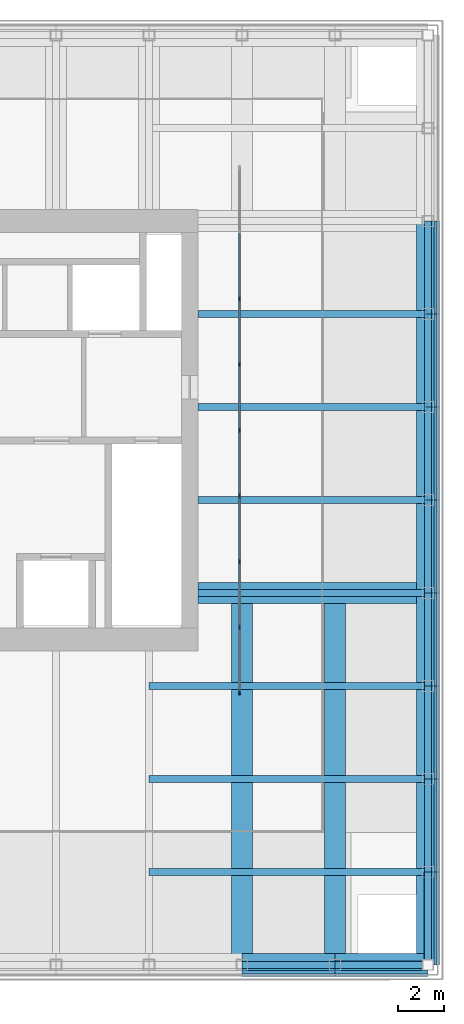
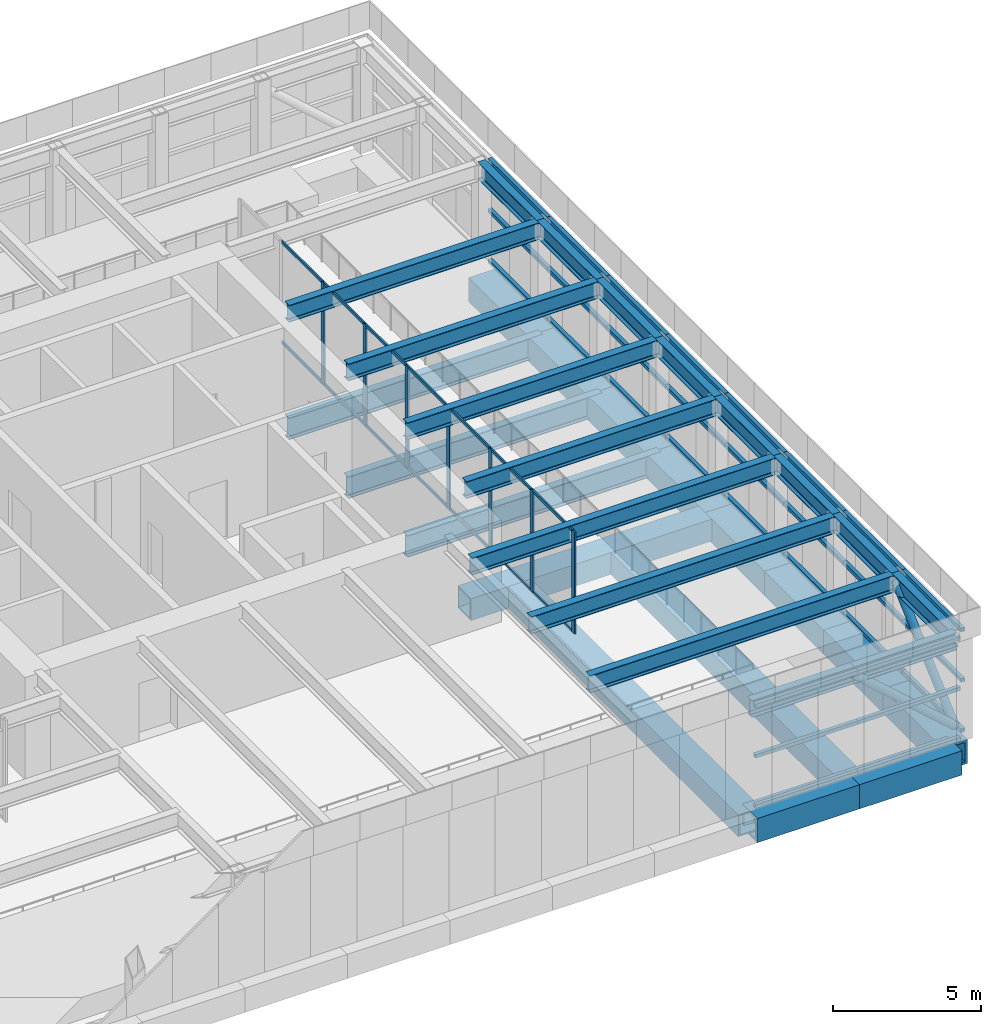
# One storey, part 4 of 11: 53 members, 33 beams, 1 element without a shape of its own.
"""IFC4 building model written with IfcOpenShell, lengths in metres."""

import ifcopenshell
import ifcopenshell.guid

model = None  # the IFC model being written
_history = None  # IfcOwnerHistory: only IFC2X3 demands one
_inside = {}  # id of a spatial element -> (the spatial element, [elements in it])
_under = {}  # id of a project, library or spatial element -> (it, [spatial elements below it])
_declared = {}  # id of a project -> (the project, [libraries it declares])
_typed = {}  # id of a type object -> (the type object, [elements of that type])
_made_of = {}  # id of a material, layer set ... -> (it, [elements and type objects made of it])


def new_model(schema):
    """Start an empty IFC model of exactly this schema.

    Asked for "IFC4X3", IfcOpenShell would pick the latest addendum, in which some entities
    have other attributes; the version numbers below select the first issue.
    IFC2X3 requires an IfcOwnerHistory on every rooted entity: one is made here for all.
    """
    global model, _history
    if schema == "IFC4X3":
        model = ifcopenshell.file(schema_version=(4, 3, 0, 0))
    else:
        model = ifcopenshell.file(schema=schema)
    _inside.clear()
    _under.clear()
    _declared.clear()
    _typed.clear()
    _made_of.clear()
    _history = None
    if model.schema == "IFC2X3":
        org = make("IfcOrganization", Name="unknown")
        user = make(
            "IfcPersonAndOrganization",
            ThePerson=make("IfcPerson", FamilyName="unknown"),
            TheOrganization=org,
        )
        app = make(
            "IfcApplication",
            ApplicationDeveloper=org,
            Version="unknown",
            ApplicationFullName="unknown",
            ApplicationIdentifier="unknown",
        )
        _history = make(
            "IfcOwnerHistory",
            OwningUser=user,
            OwningApplication=app,
            ChangeAction="ADDED",
            CreationDate=0,
        )
    return model


def make(cls, **values):
    """One entity of the class cls with the attributes given. An attribute that is None is left unset."""
    return model.create_entity(
        cls, **{name: value for name, value in values.items() if value is not None}
    )


def rooted(cls, **values):
    """An entity with a GlobalId (a new one), such as an element, a storey or a relation."""
    return make(cls, GlobalId=ifcopenshell.guid.new(), OwnerHistory=_history, **values)


def si_unit(unit_type, name, prefix=None):
    """IfcSIUnit, for example si_unit("LENGTHUNIT", "METRE", prefix="MILLI")."""
    return make("IfcSIUnit", UnitType=unit_type, Prefix=prefix, Name=name)


def assignment(units):
    """IfcUnitAssignment: the units of a project."""
    return None if units is None else make("IfcUnitAssignment", Units=units)


def point(xyz):
    """IfcCartesianPoint."""
    return None if xyz is None else make("IfcCartesianPoint", Coordinates=xyz)


def direction(xyz):
    """IfcDirection."""
    return None if xyz is None else make("IfcDirection", DirectionRatios=xyz)


def frame(location, z_axis=None, x_axis=None):
    """IfcAxis2Placement3D, a coordinate frame: its origin and axes. An axis left out is left unset."""
    return make(
        "IfcAxis2Placement3D",
        Location=point(location),
        Axis=direction(z_axis),
        RefDirection=direction(x_axis),
    )


def frame_2d(location, x_axis=None):
    """IfcAxis2Placement2D, a coordinate frame in the plane: its origin and x axis."""
    return make(
        "IfcAxis2Placement2D", Location=point(location), RefDirection=direction(x_axis)
    )


def origin():
    """The frame at (0, 0, 0) with its axes left unset."""
    return frame((0.0, 0.0, 0.0))


def origin_2d():
    """The frame at (0, 0) in the plane with its x axis left unset."""
    return frame_2d((0.0, 0.0))


def place(relative_to, where):
    """IfcLocalPlacement: puts the frame where relative to a parent placement (None: the world)."""
    return make(
        "IfcLocalPlacement", PlacementRelTo=relative_to, RelativePlacement=where
    )


def context(
    kind, dimensions, precision=None, world=None, true_north=None, identifier=None
):
    """IfcGeometricRepresentationContext, for example the 3D "Model" context."""
    return make(
        "IfcGeometricRepresentationContext",
        ContextIdentifier=identifier,
        ContextType=kind,
        CoordinateSpaceDimension=dimensions,
        Precision=precision,
        WorldCoordinateSystem=world,
        TrueNorth=true_north,
    )


def subcontext(parent, identifier, kind, view, scale=None):
    """IfcGeometricRepresentationSubContext, for example "Body" below "Model"."""
    return make(
        "IfcGeometricRepresentationSubContext",
        ContextIdentifier=identifier,
        ContextType=kind,
        ParentContext=parent,
        TargetScale=scale,
        TargetView=view,
    )


def project(units=None, contexts=None):
    """IfcProject with its units and contexts."""
    return rooted(
        "IfcProject",
        Name="project",
        RepresentationContexts=contexts,
        UnitsInContext=assignment(units),
    )


def spatial(cls, under=None, at=None, **own):
    """A site, building, storey or space (cls), placed at a placement, below another one or the project."""
    s = rooted(cls, ObjectPlacement=at, **own)
    if under is not None:
        _under.setdefault(under.id(), (under, []))[1].append(s)
    return s


def profile(cls, at=None, kind="AREA", **sizes):
    """A parametric profile (cls). Its sizes go by their IFC names, for example OverallWidth=200.0."""
    return make(cls, ProfileType=kind, Position=at, **sizes)


def rectangle(**sizes):
    """IfcRectangleProfileDef."""
    return profile("IfcRectangleProfileDef", **sizes)


def hollow_rectangle(**sizes):
    """IfcRectangleHollowProfileDef."""
    return profile("IfcRectangleHollowProfileDef", **sizes)


def hollow_circle(**sizes):
    """IfcCircleHollowProfileDef."""
    return profile("IfcCircleHollowProfileDef", **sizes)


def i_section(**sizes):
    """IfcIShapeProfileDef."""
    return profile("IfcIShapeProfileDef", **sizes)


def extrude(swept, where, along, depth):
    """IfcExtrudedAreaSolid: the profile swept, set in the frame where, extruded along a direction by depth."""
    return make(
        "IfcExtrudedAreaSolid",
        SweptArea=swept,
        Position=where,
        ExtrudedDirection=direction(along),
        Depth=depth,
    )


def shape(context_of_items, identifier, shape_type, items):
    """IfcShapeRepresentation: the items that make up one representation, for example the "Body"."""
    return make(
        "IfcShapeRepresentation",
        ContextOfItems=context_of_items,
        RepresentationIdentifier=identifier,
        RepresentationType=shape_type,
        Items=items,
    )


def material(Name=None, Category=None):
    """IfcMaterial."""
    return make("IfcMaterial", Name=Name, Category=Category)


def material_profile(
    of_material, cross_section, Name=None, Category=None, Priority=None
):
    """IfcMaterialProfile: a cross section and its material."""
    return make(
        "IfcMaterialProfile",
        Name=Name,
        Material=of_material,
        Profile=cross_section,
        Priority=Priority,
        Category=Category,
    )


def profile_set(profiles, Name=None, composite=None):
    """IfcMaterialProfileSet."""
    return make(
        "IfcMaterialProfileSet",
        Name=Name,
        MaterialProfiles=profiles,
        CompositeProfile=composite,
    )


def made_of(thing, what):
    """Note that an element or type object is made of a material, layer set ...; save() writes the relation."""
    if what is not None:
        _made_of.setdefault(what.id(), (what, []))[1].append(thing)
    return thing


def type_object(cls, material=None, **own):
    """A type object (cls), such as IfcWallType, which elements share."""
    return made_of(rooted(cls, **own), material)


def element(
    cls,
    number,
    at=None,
    inside=None,
    cuts=None,
    type_object=None,
    material=None,
    context=None,
    identifier="Body",
    shape_type=None,
    held_by="IfcProductDefinitionShape",
    body=None,
    shapes=None,
    **own,
):
    """One element of the class cls, such as IfcWall. Its Tag is "e" and its number.

    at: its placement. inside: the storey or other place that contains it. cuts: it is an
    opening in that element (IfcRelVoidsElement). A single representation is given by context,
    identifier, shape_type and body (its items); several are given by shapes. held_by: the class
    of the entity that holds the representations. save() writes the other relations.
    """
    e = rooted(cls, Tag="e%d" % number, ObjectPlacement=at, **own)
    if body is not None:
        shapes = [shape(context, identifier, shape_type, body)]
    if shapes is not None:
        e.Representation = make(held_by, Representations=shapes)
    if inside is not None:
        _inside.setdefault(inside.id(), (inside, []))[1].append(e)
    if cuts is not None:
        rooted(
            "IfcRelVoidsElement", RelatingBuildingElement=cuts, RelatedOpeningElement=e
        )
    if type_object is not None:
        _typed.setdefault(type_object.id(), (type_object, []))[1].append(e)
    return made_of(e, material)


def aggregate(whole, parts):
    """IfcRelAggregates: a whole, such as a stair, and the parts it consists of."""
    return rooted("IfcRelAggregates", RelatingObject=whole, RelatedObjects=parts)


def save(model, path):
    """Write the relations noted so far, then the file.

    IfcRelAggregates (storeys below a building ...), IfcRelContainedInSpatialStructure (elements
    in a storey), IfcRelDefinesByType, IfcRelAssociatesMaterial and IfcRelDeclares: one each for
    every whole, place, type object, material and project.
    """
    for whole, parts in _under.values():
        aggregate(whole, parts)
    for where, things in _inside.values():
        rooted(
            "IfcRelContainedInSpatialStructure",
            RelatedElements=things,
            RelatingStructure=where,
        )
    for kind, things in _typed.values():
        rooted("IfcRelDefinesByType", RelatedObjects=things, RelatingType=kind)
    for what, things in _made_of.values():
        rooted("IfcRelAssociatesMaterial", RelatedObjects=things, RelatingMaterial=what)
    for by, libraries in _declared.values():
        rooted("IfcRelDeclares", RelatingContext=by, RelatedDefinitions=libraries)
    model.write(path)


model = new_model("IFC4")

# Units and contexts
model_context = context("Model", 3, precision=1e-05, world=origin(), true_north=direction((0.0, 1.0)))
body_context = subcontext(model_context, "Body", "Model", "MODEL_VIEW")
ifc_project = project(units=[si_unit("LENGTHUNIT", "METRE"), si_unit("AREAUNIT", "SQUARE_METRE"), si_unit("VOLUMEUNIT", "CUBIC_METRE"), si_unit("PLANEANGLEUNIT", "RADIAN"), si_unit("MASSUNIT", "GRAM", prefix="KILO")], contexts=[model_context])

# Site, building, storey
site_placement = place(None, origin())
site = spatial("IfcSite", under=ifc_project, at=site_placement, CompositionType="ELEMENT")
building_placement = place(site_placement, origin())
building = spatial("IfcBuilding", under=site, at=building_placement, Name="Rimbunsela Tower", CompositionType="ELEMENT")
storey_placement = place(building_placement, frame((0.0, 0.0, 304.199951171875)))
storey = spatial("IfcBuildingStorey", under=building, at=storey_placement, Name="RF", CompositionType="ELEMENT", Elevation=304.199951171875)

# Beams
ifc_material_1 = material(Name="Steel BJ 55 (fy 410 MPa)", Category="steel")
ifc_material_profile_1 = material_profile(ifc_material_1, hollow_rectangle(XDim=1.0, YDim=1.0, WallThickness=0.10009765625, at=origin_2d()), Name="BOX 1000x1000x100")
ifc_profile_set_1 = profile_set([ifc_material_profile_1], Name="Steel BJ 55 (fy 410 MPa)")
beam_type_1 = type_object("IfcBeamType", Name="Beam BOX 1000x1000x100", PredefinedType="BEAM", material=ifc_profile_set_1)
for number, where, z_axis, x_axis, name in (
    (1, (38.0, 4.0, -0.800048828125), (1.0, 0.0, 0.0), (0.0, 1.0, 0.0), "Beam B3 RF"),
    (2, (42.0, 4.0, -0.800048828125), (1.0, 0.0, 0.0), (0.0, 1.0, 0.0), "Beam B3 RF"),
    (3, (46.0, 4.0, -0.800048828125), (0.0, 1.0, 0.0), (-1.0, 0.0, 0.0), "Beam B3 RF"),
    (4, (46.0, 8.0, -0.800048828125), (0.0, 1.0, 0.0), (-1.0, 0.0, 0.0), "Beam B3 RF"),
    (5, (46.0, 12.0, -0.800048828125), (0.0, 1.0, 0.0), (-1.0, 0.0, 0.0), "Beam B3 RF"),
    (6, (46.0, 16.0, -0.800048828125), (0.0, 1.0, 0.0), (-1.0, 0.0, 0.0), "Beam B3 RF"),
    (7, (46.0, 20.0, -0.800048828125), (0.0, 1.0, 0.0), (-1.0, 0.0, 0.0), "Beam B3 RF"),
    (8, (46.0, 24.0, -0.800048828125), (0.0, 1.0, 0.0), (-1.0, 0.0, 0.0), "Beam B3 RF"),
    (9, (46.0, 28.0, -0.800048828125), (0.0, 1.0, 0.0), (-1.0, 0.0, 0.0), "Beam B3 RF"),
    (10, (46.0, 32.0, -0.800048828125), (0.0, 1.0, 0.0), (-1.0, 0.0, 0.0), "Beam B3 RF"),
):
    element("IfcBeam", number, at=place(storey_placement, frame(where, z_axis=z_axis, x_axis=x_axis)), inside=storey, type_object=beam_type_1, Name=name, PredefinedType="BEAM", context=body_context, shape_type="SweptSolid", body=[
        extrude(hollow_rectangle(XDim=1.0, YDim=1.0, WallThickness=0.10009765625, at=origin_2d()), origin(), (0.0, 0.0, 1.0), 4.0),
    ])
ifc_material_2 = material(Name="Steel BJ 55 (fy 410 MPa)", Category="steel")
ifc_material_profile_2 = material_profile(ifc_material_2, hollow_rectangle(XDim=0.89990234375, YDim=0.89990234375, WallThickness=0.06005859375, at=origin_2d()), Name="BOX 900x900x60")
ifc_profile_set_2 = profile_set([ifc_material_profile_2], Name="Steel BJ 55 (fy 410 MPa)")
beam_type_2 = type_object("IfcBeamType", Name="Beam BOX 900x900x60", PredefinedType="BEAM", material=ifc_profile_set_2)
beam_placement = place(storey_placement, frame((36.10009765625, 20.0, -0.75), z_axis=(1.0, 0.0, 0.0), x_axis=(0.0, 1.0, 0.0)))
element("IfcBeam", 11, at=beam_placement, inside=storey, type_object=beam_type_2, Name="Beam B1 RF", PredefinedType="BEAM", context=body_context, shape_type="SweptSolid", body=[
    extrude(hollow_rectangle(XDim=0.89990234375, YDim=0.89990234375, WallThickness=0.06005859375, at=origin_2d()), origin(), (0.0, 0.0, 1.0), 9.89990234375),
])
for number, where, z_axis, x_axis, name in (
    (12, (38.0, 4.0, -0.75), (0.0, 1.0, 0.0), (-1.0, 0.0, 0.0), "Beam B1 RF"),
    (13, (42.0, 4.0, -0.75), (0.0, 1.0, 0.0), (-1.0, 0.0, 0.0), "Beam B1 RF"),
):
    element("IfcBeam", number, at=place(storey_placement, frame(where, z_axis=z_axis, x_axis=x_axis)), inside=storey, type_object=beam_type_2, Name=name, PredefinedType="BEAM", context=body_context, shape_type="SweptSolid", body=[
        extrude(hollow_rectangle(XDim=0.89990234375, YDim=0.89990234375, WallThickness=0.06005859375, at=origin_2d()), origin(), (0.0, 0.0, 1.0), 15.550048828125),
    ])
ifc_material_3 = material(Name="Steel BJ 55 (fy 410 MPa)", Category="steel")
ifc_material_profile_3 = material_profile(ifc_material_3, i_section(OverallWidth=0.300048828125, OverallDepth=0.89990234375, WebThickness=0.01611328125, FlangeThickness=0.028076171875, FilletRadius=0.028076171875, at=origin_2d()), Name="H 900x300x16x28")
ifc_profile_set_3 = profile_set([ifc_material_profile_3], Name="Steel BJ 55 (fy 410 MPa)")
beam_type_3 = type_object("IfcBeamType", Name="Beam H 900x300x16x28", PredefinedType="BEAM", material=ifc_profile_set_3)
for number, where, z_axis, x_axis, name in (
    (14, (36.10009765625, 24.0, -0.75), (1.0, 0.0, 0.0), (0.0, 1.0, 0.0), "Beam B2 RF"),
    (15, (36.10009765625, 28.0, -0.75), (1.0, 0.0, 0.0), (0.0, 1.0, 0.0), "Beam B2 RF"),
    (16, (36.10009765625, 32.0, -0.75), (1.0, 0.0, 0.0), (0.0, 1.0, 0.0), "Beam B2 RF"),
):
    element("IfcBeam", number, at=place(storey_placement, frame(where, z_axis=z_axis, x_axis=x_axis)), inside=storey, type_object=beam_type_3, Name=name, PredefinedType="BEAM", context=body_context, shape_type="SweptSolid", body=[
        extrude(i_section(OverallWidth=0.300048828125, OverallDepth=0.89990234375, WebThickness=0.01611328125, FlangeThickness=0.028076171875, FilletRadius=0.028076171875, at=origin_2d()), origin(), (0.0, 0.0, 1.0), 9.89990234375),
    ])
ifc_material_4 = material(Name="Steel BJ 55 (fy 410 MPa)", Category="steel")
ifc_material_profile_4 = material_profile(ifc_material_4, i_section(OverallWidth=0.300048828125, OverallDepth=0.699951171875, WebThickness=0.012939453125, FlangeThickness=0.02392578125, FilletRadius=0.028076171875, at=origin_2d()), Name="H 700x300x13x24")
ifc_profile_set_4 = profile_set([ifc_material_profile_4], Name="Steel BJ 55 (fy 410 MPa)")
beam_type_4 = type_object("IfcBeamType", Name="Crown frame beam H 700x300x13x24", PredefinedType="BEAM", material=ifc_profile_set_4)
for number, where, z_axis, x_axis, name in (
    (17, (38.0, 4.0, 4.0), (1.0, 0.0, 0.0), (0.0, 1.0, 0.0), "Crown frame edge beam CB1"),
    (18, (42.0, 4.0, 4.0), (1.0, 0.0, 0.0), (0.0, 1.0, 0.0), "Crown frame edge beam CB1"),
    (19, (46.0, 4.0, 4.0), (0.0, 1.0, 0.0), (-1.0, 0.0, 0.0), "Crown frame edge beam CB1"),
    (20, (46.0, 8.0, 4.0), (0.0, 1.0, 0.0), (-1.0, 0.0, 0.0), "Crown frame edge beam CB1"),
    (21, (46.0, 12.0, 4.0), (0.0, 1.0, 0.0), (-1.0, 0.0, 0.0), "Crown frame edge beam CB1"),
    (22, (46.0, 16.0, 4.0), (0.0, 1.0, 0.0), (-1.0, 0.0, 0.0), "Crown frame edge beam CB1"),
    (23, (46.0, 20.0, 4.0), (0.0, 1.0, 0.0), (-1.0, 0.0, 0.0), "Crown frame edge beam CB1"),
    (24, (46.0, 24.0, 4.0), (0.0, 1.0, 0.0), (-1.0, 0.0, 0.0), "Crown frame edge beam CB1"),
    (25, (46.0, 28.0, 4.0), (0.0, 1.0, 0.0), (-1.0, 0.0, 0.0), "Crown frame edge beam CB1"),
    (26, (46.0, 32.0, 4.0), (0.0, 1.0, 0.0), (-1.0, 0.0, 0.0), "Crown frame edge beam CB1"),
):
    element("IfcBeam", number, at=place(storey_placement, frame(where, z_axis=z_axis, x_axis=x_axis)), inside=storey, type_object=beam_type_4, Name=name, PredefinedType="BEAM", context=body_context, shape_type="SweptSolid", body=[
        extrude(i_section(OverallWidth=0.300048828125, OverallDepth=0.699951171875, WebThickness=0.012939453125, FlangeThickness=0.02392578125, FilletRadius=0.028076171875, at=origin_2d()), origin(), (0.0, 0.0, 1.0), 4.0),
    ])
for number, where, z_axis, x_axis, name in (
    (27, (46.0, 20.0, 4.0), (-1.0, 0.0, 0.0), (0.0, -1.0, 0.0), "Crown frame beam CB1"),
    (28, (46.0, 24.0, 4.0), (-1.0, 0.0, 0.0), (0.0, -1.0, 0.0), "Crown frame beam CB1"),
    (29, (46.0, 28.0, 4.0), (-1.0, 0.0, 0.0), (0.0, -1.0, 0.0), "Crown frame beam CB1"),
    (30, (46.0, 32.0, 4.0), (-1.0, 0.0, 0.0), (0.0, -1.0, 0.0), "Crown frame beam CB1"),
):
    element("IfcBeam", number, at=place(storey_placement, frame(where, z_axis=z_axis, x_axis=x_axis)), inside=storey, type_object=beam_type_4, Name=name, PredefinedType="BEAM", context=body_context, shape_type="SweptSolid", body=[
        extrude(i_section(OverallWidth=0.300048828125, OverallDepth=0.699951171875, WebThickness=0.012939453125, FlangeThickness=0.02392578125, FilletRadius=0.028076171875, at=origin_2d()), origin(), (0.0, 0.0, 1.0), 9.89990234375),
    ])

# Members
ifc_material_5 = material(Name="Steel BJ 55 (fy 410 MPa)", Category="steel")
ifc_material_profile_5 = material_profile(ifc_material_5, hollow_circle(Radius=0.1591796875, WallThickness=0.01025390625, at=origin_2d()), Name="CHS 318.5x10.3")
ifc_profile_set_5 = profile_set([ifc_material_profile_5], Name="Steel BJ 55 (fy 410 MPa)")
member_type_1 = type_object("IfcMemberType", Name="Crown frame brace CHS 318.5x10.3", PredefinedType="BRACE", material=ifc_profile_set_5)
for number, where, z_axis, x_axis, name in (
    (31, (46.0, 4.0, 0.449951171875), (-0.747920371053, 0.0, 0.663788459197), (0.0, -1.0, 0.0), "Crown frame brace CX1"),
    (32, (46.0, 4.0, 0.449951171875), (0.0, 0.747920371053, 0.663788459197), (-1.0, 0.0, 0.0), "Crown frame brace CX1"),
):
    element("IfcMember", number, at=place(storey_placement, frame(where, z_axis=z_axis, x_axis=x_axis)), inside=storey, type_object=member_type_1, Name=name, PredefinedType="BRACE", context=body_context, shape_type="SweptSolid", body=[
        extrude(hollow_circle(Radius=0.1591796875, WallThickness=0.01025390625, at=origin_2d()), origin(), (0.0, 0.0, 1.0), 5.34814453125),
    ])

# Beams
ifc_material_6 = material(Name="Steel BJ 55 (fy 410 MPa)", Category="steel")
ifc_material_profile_6 = material_profile(ifc_material_6, i_section(OverallWidth=0.300048828125, OverallDepth=0.699951171875, WebThickness=0.012939453125, FlangeThickness=0.02392578125, FilletRadius=0.028076171875, at=origin_2d()), Name="H 700x300x13x24")
ifc_profile_set_6 = profile_set([ifc_material_profile_6], Name="Steel BJ 55 (fy 410 MPa)")
beam_type_5 = type_object("IfcBeamType", Name="Crown frame purlin H 700x300x13x24", PredefinedType="BEAM", material=ifc_profile_set_6)
for number, where, z_axis, x_axis, name in (
    (33, (34.0, 8.0, 4.0), (1.0, 0.0, 0.0), (0.0, 1.0, 0.0), "Crown frame purlin PU1"),
    (34, (34.0, 12.0, 4.0), (1.0, 0.0, 0.0), (0.0, 1.0, 0.0), "Crown frame purlin PU1"),
    (35, (34.0, 16.0, 4.0), (1.0, 0.0, 0.0), (0.0, 1.0, 0.0), "Crown frame purlin PU1"),
):
    element("IfcBeam", number, at=place(storey_placement, frame(where, z_axis=z_axis, x_axis=x_axis)), inside=storey, type_object=beam_type_5, Name=name, PredefinedType="BEAM", context=body_context, shape_type="SweptSolid", body=[
        extrude(i_section(OverallWidth=0.300048828125, OverallDepth=0.699951171875, WebThickness=0.012939453125, FlangeThickness=0.02392578125, FilletRadius=0.028076171875, at=origin_2d()), origin(), (0.0, 0.0, 1.0), 12.0),
    ])

# Members
ifc_material_7 = material(Name="Steel BJ 55 (fy 410 MPa)", Category="steel")
ifc_material_profile_7 = material_profile(ifc_material_7, hollow_rectangle(XDim=0.14990234375, YDim=0.14990234375, WallThickness=0.006103515625, at=origin_2d()), Name="SHS 150x150x6.0")
ifc_profile_set_7 = profile_set([ifc_material_profile_7], Name="Steel BJ 55 (fy 410 MPa)")
member_type_2 = type_object("IfcMemberType", Name="Crown screen rail SHS 150x150x6.0", PredefinedType="MEMBER", material=ifc_profile_set_7)
for number, where, z_axis, x_axis, name in (
    (36, (38.0, 3.675048828125, 0.125), (1.0, 0.0, 0.0), (0.0, 1.0, 0.0), "Crown screen rail SR1"),
    (37, (38.0, 3.675048828125, 2.199951171875), (1.0, 0.0, 0.0), (0.0, 1.0, 0.0), "Crown screen rail SR1"),
    (38, (38.0, 3.675048828125, 4.275146484375), (1.0, 0.0, 0.0), (0.0, 1.0, 0.0), "Crown screen rail SR1"),
    (39, (42.0, 3.675048828125, 0.125), (1.0, 0.0, 0.0), (0.0, 1.0, 0.0), "Crown screen rail SR1"),
    (40, (42.0, 3.675048828125, 2.199951171875), (1.0, 0.0, 0.0), (0.0, 1.0, 0.0), "Crown screen rail SR1"),
    (41, (42.0, 3.675048828125, 4.275146484375), (1.0, 0.0, 0.0), (0.0, 1.0, 0.0), "Crown screen rail SR1"),
    (42, (46.324951171875, 4.0, 0.125), (0.0, 1.0, 0.0), (-1.0, 0.0, 0.0), "Crown screen rail SR1"),
    (43, (46.324951171875, 4.0, 2.199951171875), (0.0, 1.0, 0.0), (-1.0, 0.0, 0.0), "Crown screen rail SR1"),
    (44, (46.324951171875, 4.0, 4.275146484375), (0.0, 1.0, 0.0), (-1.0, 0.0, 0.0), "Crown screen rail SR1"),
    (45, (46.324951171875, 8.0, 0.125), (0.0, 1.0, 0.0), (-1.0, 0.0, 0.0), "Crown screen rail SR1"),
    (46, (46.324951171875, 8.0, 2.199951171875), (0.0, 1.0, 0.0), (-1.0, 0.0, 0.0), "Crown screen rail SR1"),
    (47, (46.324951171875, 8.0, 4.275146484375), (0.0, 1.0, 0.0), (-1.0, 0.0, 0.0), "Crown screen rail SR1"),
    (48, (46.324951171875, 12.0, 0.125), (0.0, 1.0, 0.0), (-1.0, 0.0, 0.0), "Crown screen rail SR1"),
    (49, (46.324951171875, 12.0, 2.199951171875), (0.0, 1.0, 0.0), (-1.0, 0.0, 0.0), "Crown screen rail SR1"),
    (50, (46.324951171875, 12.0, 4.275146484375), (0.0, 1.0, 0.0), (-1.0, 0.0, 0.0), "Crown screen rail SR1"),
    (51, (46.324951171875, 16.0, 0.125), (0.0, 1.0, 0.0), (-1.0, 0.0, 0.0), "Crown screen rail SR1"),
    (52, (46.324951171875, 16.0, 2.199951171875), (0.0, 1.0, 0.0), (-1.0, 0.0, 0.0), "Crown screen rail SR1"),
    (53, (46.324951171875, 16.0, 4.275146484375), (0.0, 1.0, 0.0), (-1.0, 0.0, 0.0), "Crown screen rail SR1"),
    (54, (46.324951171875, 20.0, 0.125), (0.0, 1.0, 0.0), (-1.0, 0.0, 0.0), "Crown screen rail SR1"),
    (55, (46.324951171875, 20.0, 2.199951171875), (0.0, 1.0, 0.0), (-1.0, 0.0, 0.0), "Crown screen rail SR1"),
    (56, (46.324951171875, 20.0, 4.275146484375), (0.0, 1.0, 0.0), (-1.0, 0.0, 0.0), "Crown screen rail SR1"),
    (57, (46.324951171875, 24.0, 0.125), (0.0, 1.0, 0.0), (-1.0, 0.0, 0.0), "Crown screen rail SR1"),
    (58, (46.324951171875, 24.0, 2.199951171875), (0.0, 1.0, 0.0), (-1.0, 0.0, 0.0), "Crown screen rail SR1"),
    (59, (46.324951171875, 24.0, 4.275146484375), (0.0, 1.0, 0.0), (-1.0, 0.0, 0.0), "Crown screen rail SR1"),
    (60, (46.324951171875, 28.0, 0.125), (0.0, 1.0, 0.0), (-1.0, 0.0, 0.0), "Crown screen rail SR1"),
    (61, (46.324951171875, 28.0, 2.199951171875), (0.0, 1.0, 0.0), (-1.0, 0.0, 0.0), "Crown screen rail SR1"),
    (62, (46.324951171875, 28.0, 4.275146484375), (0.0, 1.0, 0.0), (-1.0, 0.0, 0.0), "Crown screen rail SR1"),
    (63, (46.324951171875, 32.0, 0.125), (0.0, 1.0, 0.0), (-1.0, 0.0, 0.0), "Crown screen rail SR1"),
    (64, (46.324951171875, 32.0, 2.199951171875), (0.0, 1.0, 0.0), (-1.0, 0.0, 0.0), "Crown screen rail SR1"),
    (65, (46.324951171875, 32.0, 4.275146484375), (0.0, 1.0, 0.0), (-1.0, 0.0, 0.0), "Crown screen rail SR1"),
):
    element("IfcMember", number, at=place(storey_placement, frame(where, z_axis=z_axis, x_axis=x_axis)), inside=storey, type_object=member_type_2, Name=name, PredefinedType="MEMBER", context=body_context, shape_type="SweptSolid", body=[
        extrude(hollow_rectangle(XDim=0.14990234375, YDim=0.14990234375, WallThickness=0.006103515625, at=origin_2d()), origin(), (0.0, 0.0, 1.0), 4.0),
    ])

# Curtain wall, members
ifc_material_8 = material(Name="Aluminium curtain wall", Category="aluminium")
curtain_wall_type = type_object("IfcCurtainWallType", Name="Crown glazing", PredefinedType="USERDEFINED", material=ifc_material_8)
curtain_wall_placement = place(storey_placement, origin())
curtain_wall = element("IfcCurtainWall", 66, at=curtain_wall_placement, inside=storey, type_object=curtain_wall_type, Name="Crown glazing RF", ObjectType="CROWN GLAZING", PredefinedType="USERDEFINED")
ifc_material_9 = material(Name="Aluminium mullion", Category="aluminium")
ifc_material_profile_8 = material_profile(ifc_material_9, rectangle(XDim=0.06005859375, YDim=0.199951171875, at=origin_2d()), Name="Mullion 60x200")
ifc_profile_set_8 = profile_set([ifc_material_profile_8], Name="Aluminium mullion")
member_type_3 = type_object("IfcMemberType", Name="Curtain wall mullion 60x200", PredefinedType="MULLION", material=ifc_profile_set_8)
member_1_placement = place(storey_placement, frame((37.89990234375, 15.72998046875, 0.0), z_axis=(0.0, 0.0, 1.0), x_axis=(-1.0, 0.0, 0.0)))
member_1 = element("IfcMember", 67, at=member_1_placement, type_object=member_type_3, Name="CW6 mullion 1", PredefinedType="MULLION", context=body_context, shape_type="SweptSolid", body=[
    extrude(rectangle(XDim=0.06005859375, YDim=0.199951171875, at=origin_2d()), origin(), (0.0, 0.0, 1.0), 4.199951171875),
])
member_2_placement = place(storey_placement, frame((37.89990234375, 18.52490234375, 0.0), z_axis=(0.0, 0.0, 1.0), x_axis=(-1.0, 0.0, 0.0)))
member_2 = element("IfcMember", 68, at=member_2_placement, type_object=member_type_3, Name="CW6 mullion 2", PredefinedType="MULLION", context=body_context, shape_type="SweptSolid", body=[
    extrude(rectangle(XDim=0.06005859375, YDim=0.199951171875, at=origin_2d()), origin(), (0.0, 0.0, 1.0), 4.199951171875),
])
member_3_placement = place(storey_placement, frame((37.89990234375, 21.35009765625, 0.0), z_axis=(0.0, 0.0, 1.0), x_axis=(-1.0, 0.0, 0.0)))
member_3 = element("IfcMember", 69, at=member_3_placement, type_object=member_type_3, Name="CW6 mullion 3", PredefinedType="MULLION", context=body_context, shape_type="SweptSolid", body=[
    extrude(rectangle(XDim=0.06005859375, YDim=0.199951171875, at=origin_2d()), origin(), (0.0, 0.0, 1.0), 4.199951171875),
])
member_4_placement = place(storey_placement, frame((37.89990234375, 24.175048828125, 0.0), z_axis=(0.0, 0.0, 1.0), x_axis=(-1.0, 0.0, 0.0)))
member_4 = element("IfcMember", 70, at=member_4_placement, type_object=member_type_3, Name="CW6 mullion 4", PredefinedType="MULLION", context=body_context, shape_type="SweptSolid", body=[
    extrude(rectangle(XDim=0.06005859375, YDim=0.199951171875, at=origin_2d()), origin(), (0.0, 0.0, 1.0), 4.199951171875),
])
member_5_placement = place(storey_placement, frame((37.89990234375, 27.0, 0.0), z_axis=(0.0, 0.0, 1.0), x_axis=(-1.0, 0.0, 0.0)))
member_5 = element("IfcMember", 71, at=member_5_placement, type_object=member_type_3, Name="CW6 mullion 5", PredefinedType="MULLION", context=body_context, shape_type="SweptSolid", body=[
    extrude(rectangle(XDim=0.06005859375, YDim=0.199951171875, at=origin_2d()), origin(), (0.0, 0.0, 1.0), 4.199951171875),
])
member_6_placement = place(storey_placement, frame((37.89990234375, 29.824951171875, 0.0), z_axis=(0.0, 0.0, 1.0), x_axis=(-1.0, 0.0, 0.0)))
member_6 = element("IfcMember", 72, at=member_6_placement, type_object=member_type_3, Name="CW6 mullion 6", PredefinedType="MULLION", context=body_context, shape_type="SweptSolid", body=[
    extrude(rectangle(XDim=0.06005859375, YDim=0.199951171875, at=origin_2d()), origin(), (0.0, 0.0, 1.0), 4.199951171875),
])
member_7_placement = place(storey_placement, frame((37.89990234375, 32.64990234375, 0.0), z_axis=(0.0, 0.0, 1.0), x_axis=(-1.0, 0.0, 0.0)))
member_7 = element("IfcMember", 73, at=member_7_placement, type_object=member_type_3, Name="CW6 mullion 7", PredefinedType="MULLION", context=body_context, shape_type="SweptSolid", body=[
    extrude(rectangle(XDim=0.06005859375, YDim=0.199951171875, at=origin_2d()), origin(), (0.0, 0.0, 1.0), 4.199951171875),
])
ifc_material_10 = material(Name="Aluminium transom", Category="aluminium")
ifc_material_profile_9 = material_profile(ifc_material_10, rectangle(XDim=0.06005859375, YDim=0.1201171875, at=origin_2d()), Name="Transom 60x120")
ifc_profile_set_9 = profile_set([ifc_material_profile_9], Name="Aluminium transom")
member_type_4 = type_object("IfcMemberType", Name="Curtain wall transom 60x120", PredefinedType="USERDEFINED", material=ifc_profile_set_9)
member_8_placement = place(storey_placement, frame((37.89990234375, 15.760009765625, 0.030029296875), z_axis=(0.0, 1.0, 0.0), x_axis=(-1.0, 0.0, 0.0)))
member_8 = element("IfcMember", 74, at=member_8_placement, type_object=member_type_4, Name="CW6 transom 1.1", ObjectType="TRANSOM", PredefinedType="USERDEFINED", context=body_context, shape_type="SweptSolid", body=[
    extrude(rectangle(XDim=0.06005859375, YDim=0.1201171875, at=origin_2d()), origin(), (0.0, 0.0, 1.0), 2.735107421875),
])
member_9_placement = place(storey_placement, frame((37.89990234375, 15.760009765625, 4.170166015625), z_axis=(0.0, 1.0, 0.0), x_axis=(-1.0, 0.0, 0.0)))
member_9 = element("IfcMember", 75, at=member_9_placement, type_object=member_type_4, Name="CW6 transom 1.2", ObjectType="TRANSOM", PredefinedType="USERDEFINED", context=body_context, shape_type="SweptSolid", body=[
    extrude(rectangle(XDim=0.06005859375, YDim=0.1201171875, at=origin_2d()), origin(), (0.0, 0.0, 1.0), 2.735107421875),
])
member_10_placement = place(storey_placement, frame((37.89990234375, 18.554931640625, 0.030029296875), z_axis=(0.0, 1.0, 0.0), x_axis=(-1.0, 0.0, 0.0)))
member_10 = element("IfcMember", 76, at=member_10_placement, type_object=member_type_4, Name="CW6 transom 2.1", ObjectType="TRANSOM", PredefinedType="USERDEFINED", context=body_context, shape_type="SweptSolid", body=[
    extrude(rectangle(XDim=0.06005859375, YDim=0.1201171875, at=origin_2d()), origin(), (0.0, 0.0, 1.0), 2.76513671875),
])
member_11_placement = place(storey_placement, frame((37.89990234375, 18.554931640625, 4.170166015625), z_axis=(0.0, 1.0, 0.0), x_axis=(-1.0, 0.0, 0.0)))
member_11 = element("IfcMember", 77, at=member_11_placement, type_object=member_type_4, Name="CW6 transom 2.2", ObjectType="TRANSOM", PredefinedType="USERDEFINED", context=body_context, shape_type="SweptSolid", body=[
    extrude(rectangle(XDim=0.06005859375, YDim=0.1201171875, at=origin_2d()), origin(), (0.0, 0.0, 1.0), 2.76513671875),
])
member_12_placement = place(storey_placement, frame((37.89990234375, 21.3798828125, 0.030029296875), z_axis=(0.0, 1.0, 0.0), x_axis=(-1.0, 0.0, 0.0)))
member_12 = element("IfcMember", 78, at=member_12_placement, type_object=member_type_4, Name="CW6 transom 3.1", ObjectType="TRANSOM", PredefinedType="USERDEFINED", context=body_context, shape_type="SweptSolid", body=[
    extrude(rectangle(XDim=0.06005859375, YDim=0.1201171875, at=origin_2d()), origin(), (0.0, 0.0, 1.0), 2.76513671875),
])
member_13_placement = place(storey_placement, frame((37.89990234375, 21.3798828125, 4.170166015625), z_axis=(0.0, 1.0, 0.0), x_axis=(-1.0, 0.0, 0.0)))
member_13 = element("IfcMember", 79, at=member_13_placement, type_object=member_type_4, Name="CW6 transom 3.2", ObjectType="TRANSOM", PredefinedType="USERDEFINED", context=body_context, shape_type="SweptSolid", body=[
    extrude(rectangle(XDim=0.06005859375, YDim=0.1201171875, at=origin_2d()), origin(), (0.0, 0.0, 1.0), 2.76513671875),
])
member_14_placement = place(storey_placement, frame((37.89990234375, 24.205078125, 0.030029296875), z_axis=(0.0, 1.0, 0.0), x_axis=(-1.0, 0.0, 0.0)))
member_14 = element("IfcMember", 80, at=member_14_placement, type_object=member_type_4, Name="CW6 transom 4.1", ObjectType="TRANSOM", PredefinedType="USERDEFINED", context=body_context, shape_type="SweptSolid", body=[
    extrude(rectangle(XDim=0.06005859375, YDim=0.1201171875, at=origin_2d()), origin(), (0.0, 0.0, 1.0), 2.764892578125),
])
member_15_placement = place(storey_placement, frame((37.89990234375, 24.205078125, 4.170166015625), z_axis=(0.0, 1.0, 0.0), x_axis=(-1.0, 0.0, 0.0)))
member_15 = element("IfcMember", 81, at=member_15_placement, type_object=member_type_4, Name="CW6 transom 4.2", ObjectType="TRANSOM", PredefinedType="USERDEFINED", context=body_context, shape_type="SweptSolid", body=[
    extrude(rectangle(XDim=0.06005859375, YDim=0.1201171875, at=origin_2d()), origin(), (0.0, 0.0, 1.0), 2.764892578125),
])
member_16_placement = place(storey_placement, frame((37.89990234375, 27.030029296875, 0.030029296875), z_axis=(0.0, 1.0, 0.0), x_axis=(-1.0, 0.0, 0.0)))
member_16 = element("IfcMember", 82, at=member_16_placement, type_object=member_type_4, Name="CW6 transom 5.1", ObjectType="TRANSOM", PredefinedType="USERDEFINED", context=body_context, shape_type="SweptSolid", body=[
    extrude(rectangle(XDim=0.06005859375, YDim=0.1201171875, at=origin_2d()), origin(), (0.0, 0.0, 1.0), 2.764892578125),
])
member_17_placement = place(storey_placement, frame((37.89990234375, 27.030029296875, 4.170166015625), z_axis=(0.0, 1.0, 0.0), x_axis=(-1.0, 0.0, 0.0)))
member_17 = element("IfcMember", 83, at=member_17_placement, type_object=member_type_4, Name="CW6 transom 5.2", ObjectType="TRANSOM", PredefinedType="USERDEFINED", context=body_context, shape_type="SweptSolid", body=[
    extrude(rectangle(XDim=0.06005859375, YDim=0.1201171875, at=origin_2d()), origin(), (0.0, 0.0, 1.0), 2.764892578125),
])
member_18_placement = place(storey_placement, frame((37.89990234375, 29.85498046875, 0.030029296875), z_axis=(0.0, 1.0, 0.0), x_axis=(-1.0, 0.0, 0.0)))
member_18 = element("IfcMember", 84, at=member_18_placement, type_object=member_type_4, Name="CW6 transom 6.1", ObjectType="TRANSOM", PredefinedType="USERDEFINED", context=body_context, shape_type="SweptSolid", body=[
    extrude(rectangle(XDim=0.06005859375, YDim=0.1201171875, at=origin_2d()), origin(), (0.0, 0.0, 1.0), 2.76513671875),
])
member_19_placement = place(storey_placement, frame((37.89990234375, 29.85498046875, 4.170166015625), z_axis=(0.0, 1.0, 0.0), x_axis=(-1.0, 0.0, 0.0)))
member_19 = element("IfcMember", 85, at=member_19_placement, type_object=member_type_4, Name="CW6 transom 6.2", ObjectType="TRANSOM", PredefinedType="USERDEFINED", context=body_context, shape_type="SweptSolid", body=[
    extrude(rectangle(XDim=0.06005859375, YDim=0.1201171875, at=origin_2d()), origin(), (0.0, 0.0, 1.0), 2.76513671875),
])
member_20_placement = place(storey_placement, frame((37.89990234375, 32.679931640625, 0.030029296875), z_axis=(0.0, 1.0, 0.0), x_axis=(-1.0, 0.0, 0.0)))
member_20 = element("IfcMember", 86, at=member_20_placement, type_object=member_type_4, Name="CW6 transom 7.1", ObjectType="TRANSOM", PredefinedType="USERDEFINED", context=body_context, shape_type="SweptSolid", body=[
    extrude(rectangle(XDim=0.06005859375, YDim=0.1201171875, at=origin_2d()), origin(), (0.0, 0.0, 1.0), 2.76513671875),
])
member_21_placement = place(storey_placement, frame((37.89990234375, 32.679931640625, 4.170166015625), z_axis=(0.0, 1.0, 0.0), x_axis=(-1.0, 0.0, 0.0)))
member_21 = element("IfcMember", 87, at=member_21_placement, type_object=member_type_4, Name="CW6 transom 7.2", ObjectType="TRANSOM", PredefinedType="USERDEFINED", context=body_context, shape_type="SweptSolid", body=[
    extrude(rectangle(XDim=0.06005859375, YDim=0.1201171875, at=origin_2d()), origin(), (0.0, 0.0, 1.0), 2.76513671875),
])
aggregate(curtain_wall, [member_1, member_2, member_3, member_4, member_5, member_6, member_7, member_8, member_9, member_10, member_11, member_12, member_13, member_14, member_15, member_16, member_17, member_18, member_19, member_20, member_21])

save(model, "model.ifc")
